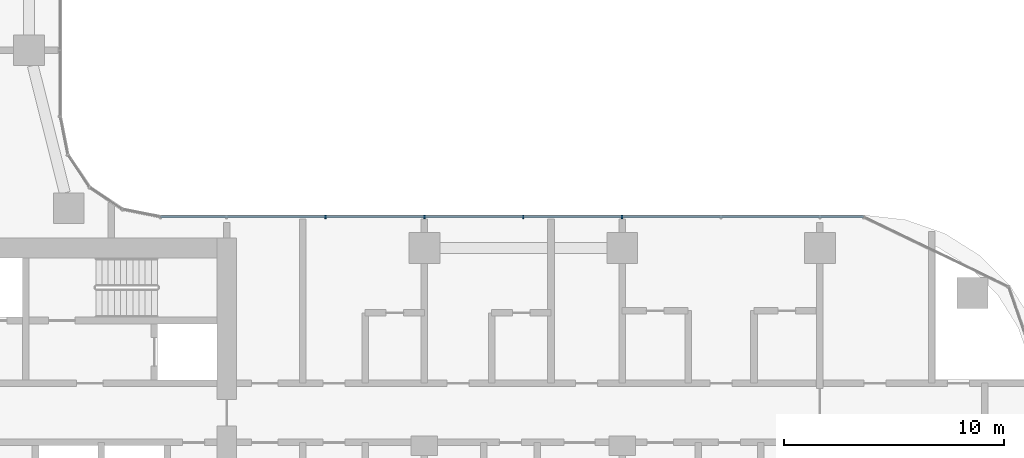
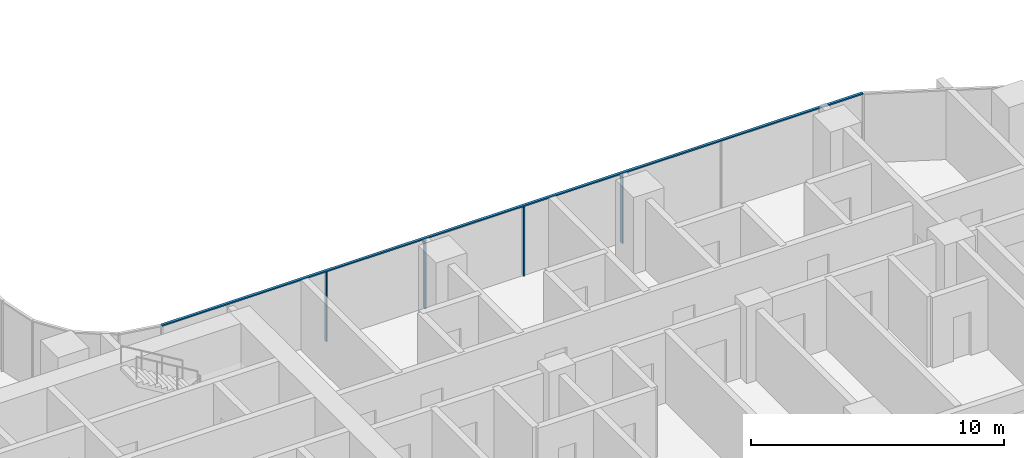
# One storey, part 4 of 33: 5 members, 1 element without a shape of its own.
"""IFC4 building model written with IfcOpenShell, lengths in metres."""

import ifcopenshell
import ifcopenshell.guid

model = None  # the IFC model being written
_history = None  # IfcOwnerHistory: only IFC2X3 demands one
_inside = {}  # id of a spatial element -> (the spatial element, [elements in it])
_under = {}  # id of a project, library or spatial element -> (it, [spatial elements below it])
_declared = {}  # id of a project -> (the project, [libraries it declares])
_typed = {}  # id of a type object -> (the type object, [elements of that type])
_made_of = {}  # id of a material, layer set ... -> (it, [elements and type objects made of it])


def new_model(schema):
    """Start an empty IFC model of exactly this schema.

    Asked for "IFC4X3", IfcOpenShell would pick the latest addendum, in which some entities
    have other attributes; the version numbers below select the first issue.
    IFC2X3 requires an IfcOwnerHistory on every rooted entity: one is made here for all.
    """
    global model, _history
    if schema == "IFC4X3":
        model = ifcopenshell.file(schema_version=(4, 3, 0, 0))
    else:
        model = ifcopenshell.file(schema=schema)
    _inside.clear()
    _under.clear()
    _declared.clear()
    _typed.clear()
    _made_of.clear()
    _history = None
    if model.schema == "IFC2X3":
        org = make("IfcOrganization", Name="unknown")
        user = make(
            "IfcPersonAndOrganization",
            ThePerson=make("IfcPerson", FamilyName="unknown"),
            TheOrganization=org,
        )
        app = make(
            "IfcApplication",
            ApplicationDeveloper=org,
            Version="unknown",
            ApplicationFullName="unknown",
            ApplicationIdentifier="unknown",
        )
        _history = make(
            "IfcOwnerHistory",
            OwningUser=user,
            OwningApplication=app,
            ChangeAction="ADDED",
            CreationDate=0,
        )
    return model


def make(cls, **values):
    """One entity of the class cls with the attributes given. An attribute that is None is left unset."""
    return model.create_entity(
        cls, **{name: value for name, value in values.items() if value is not None}
    )


def rooted(cls, **values):
    """An entity with a GlobalId (a new one), such as an element, a storey or a relation."""
    return make(cls, GlobalId=ifcopenshell.guid.new(), OwnerHistory=_history, **values)


def si_unit(unit_type, name, prefix=None):
    """IfcSIUnit, for example si_unit("LENGTHUNIT", "METRE", prefix="MILLI")."""
    return make("IfcSIUnit", UnitType=unit_type, Prefix=prefix, Name=name)


def assignment(units):
    """IfcUnitAssignment: the units of a project."""
    return None if units is None else make("IfcUnitAssignment", Units=units)


def point(xyz):
    """IfcCartesianPoint."""
    return None if xyz is None else make("IfcCartesianPoint", Coordinates=xyz)


def direction(xyz):
    """IfcDirection."""
    return None if xyz is None else make("IfcDirection", DirectionRatios=xyz)


def frame(location, z_axis=None, x_axis=None):
    """IfcAxis2Placement3D, a coordinate frame: its origin and axes. An axis left out is left unset."""
    return make(
        "IfcAxis2Placement3D",
        Location=point(location),
        Axis=direction(z_axis),
        RefDirection=direction(x_axis),
    )


def frame_2d(location, x_axis=None):
    """IfcAxis2Placement2D, a coordinate frame in the plane: its origin and x axis."""
    return make(
        "IfcAxis2Placement2D", Location=point(location), RefDirection=direction(x_axis)
    )


def origin():
    """The frame at (0, 0, 0) with its axes left unset."""
    return frame((0.0, 0.0, 0.0))


def origin_2d():
    """The frame at (0, 0) in the plane with its x axis left unset."""
    return frame_2d((0.0, 0.0))


def place(relative_to, where):
    """IfcLocalPlacement: puts the frame where relative to a parent placement (None: the world)."""
    return make(
        "IfcLocalPlacement", PlacementRelTo=relative_to, RelativePlacement=where
    )


def context(
    kind, dimensions, precision=None, world=None, true_north=None, identifier=None
):
    """IfcGeometricRepresentationContext, for example the 3D "Model" context."""
    return make(
        "IfcGeometricRepresentationContext",
        ContextIdentifier=identifier,
        ContextType=kind,
        CoordinateSpaceDimension=dimensions,
        Precision=precision,
        WorldCoordinateSystem=world,
        TrueNorth=true_north,
    )


def subcontext(parent, identifier, kind, view, scale=None):
    """IfcGeometricRepresentationSubContext, for example "Body" below "Model"."""
    return make(
        "IfcGeometricRepresentationSubContext",
        ContextIdentifier=identifier,
        ContextType=kind,
        ParentContext=parent,
        TargetScale=scale,
        TargetView=view,
    )


def project(units=None, contexts=None):
    """IfcProject with its units and contexts."""
    return rooted(
        "IfcProject",
        Name="project",
        RepresentationContexts=contexts,
        UnitsInContext=assignment(units),
    )


def spatial(cls, under=None, at=None, **own):
    """A site, building, storey or space (cls), placed at a placement, below another one or the project."""
    s = rooted(cls, ObjectPlacement=at, **own)
    if under is not None:
        _under.setdefault(under.id(), (under, []))[1].append(s)
    return s


def profile(cls, at=None, kind="AREA", **sizes):
    """A parametric profile (cls). Its sizes go by their IFC names, for example OverallWidth=200.0."""
    return make(cls, ProfileType=kind, Position=at, **sizes)


def rectangle(**sizes):
    """IfcRectangleProfileDef."""
    return profile("IfcRectangleProfileDef", **sizes)


def extrude(swept, where, along, depth):
    """IfcExtrudedAreaSolid: the profile swept, set in the frame where, extruded along a direction by depth."""
    return make(
        "IfcExtrudedAreaSolid",
        SweptArea=swept,
        Position=where,
        ExtrudedDirection=direction(along),
        Depth=depth,
    )


def shape(context_of_items, identifier, shape_type, items):
    """IfcShapeRepresentation: the items that make up one representation, for example the "Body"."""
    return make(
        "IfcShapeRepresentation",
        ContextOfItems=context_of_items,
        RepresentationIdentifier=identifier,
        RepresentationType=shape_type,
        Items=items,
    )


def material(Name=None, Category=None):
    """IfcMaterial."""
    return make("IfcMaterial", Name=Name, Category=Category)


def material_profile(
    of_material, cross_section, Name=None, Category=None, Priority=None
):
    """IfcMaterialProfile: a cross section and its material."""
    return make(
        "IfcMaterialProfile",
        Name=Name,
        Material=of_material,
        Profile=cross_section,
        Priority=Priority,
        Category=Category,
    )


def profile_set(profiles, Name=None, composite=None):
    """IfcMaterialProfileSet."""
    return make(
        "IfcMaterialProfileSet",
        Name=Name,
        MaterialProfiles=profiles,
        CompositeProfile=composite,
    )


def made_of(thing, what):
    """Note that an element or type object is made of a material, layer set ...; save() writes the relation."""
    if what is not None:
        _made_of.setdefault(what.id(), (what, []))[1].append(thing)
    return thing


def type_object(cls, material=None, **own):
    """A type object (cls), such as IfcWallType, which elements share."""
    return made_of(rooted(cls, **own), material)


def element(
    cls,
    number,
    at=None,
    inside=None,
    cuts=None,
    type_object=None,
    material=None,
    context=None,
    identifier="Body",
    shape_type=None,
    held_by="IfcProductDefinitionShape",
    body=None,
    shapes=None,
    **own,
):
    """One element of the class cls, such as IfcWall. Its Tag is "e" and its number.

    at: its placement. inside: the storey or other place that contains it. cuts: it is an
    opening in that element (IfcRelVoidsElement). A single representation is given by context,
    identifier, shape_type and body (its items); several are given by shapes. held_by: the class
    of the entity that holds the representations. save() writes the other relations.
    """
    e = rooted(cls, Tag="e%d" % number, ObjectPlacement=at, **own)
    if body is not None:
        shapes = [shape(context, identifier, shape_type, body)]
    if shapes is not None:
        e.Representation = make(held_by, Representations=shapes)
    if inside is not None:
        _inside.setdefault(inside.id(), (inside, []))[1].append(e)
    if cuts is not None:
        rooted(
            "IfcRelVoidsElement", RelatingBuildingElement=cuts, RelatedOpeningElement=e
        )
    if type_object is not None:
        _typed.setdefault(type_object.id(), (type_object, []))[1].append(e)
    return made_of(e, material)


def aggregate(whole, parts):
    """IfcRelAggregates: a whole, such as a stair, and the parts it consists of."""
    return rooted("IfcRelAggregates", RelatingObject=whole, RelatedObjects=parts)


def save(model, path):
    """Write the relations noted so far, then the file.

    IfcRelAggregates (storeys below a building ...), IfcRelContainedInSpatialStructure (elements
    in a storey), IfcRelDefinesByType, IfcRelAssociatesMaterial and IfcRelDeclares: one each for
    every whole, place, type object, material and project.
    """
    for whole, parts in _under.values():
        aggregate(whole, parts)
    for where, things in _inside.values():
        rooted(
            "IfcRelContainedInSpatialStructure",
            RelatedElements=things,
            RelatingStructure=where,
        )
    for kind, things in _typed.values():
        rooted("IfcRelDefinesByType", RelatedObjects=things, RelatingType=kind)
    for what, things in _made_of.values():
        rooted("IfcRelAssociatesMaterial", RelatedObjects=things, RelatingMaterial=what)
    for by, libraries in _declared.values():
        rooted("IfcRelDeclares", RelatingContext=by, RelatedDefinitions=libraries)
    model.write(path)


model = new_model("IFC4")

# Units and contexts
model_context = context("Model", 3, precision=1e-05, world=origin(), true_north=direction((0.0, 1.0)))
body_context = subcontext(model_context, "Body", "Model", "MODEL_VIEW")
ifc_project = project(units=[si_unit("LENGTHUNIT", "METRE"), si_unit("AREAUNIT", "SQUARE_METRE"), si_unit("VOLUMEUNIT", "CUBIC_METRE"), si_unit("PLANEANGLEUNIT", "RADIAN"), si_unit("MASSUNIT", "GRAM", prefix="KILO")], contexts=[model_context])

# Site, building, storey
site_placement = place(None, origin())
site = spatial("IfcSite", under=ifc_project, at=site_placement, CompositionType="ELEMENT")
building_placement = place(site_placement, origin())
building = spatial("IfcBuilding", under=site, at=building_placement, Name="Ogive Portal Towers", CompositionType="ELEMENT")
storey_placement = place(building_placement, frame((0.0, 0.0, 77.89990234375)))
storey = spatial("IfcBuildingStorey", under=building, at=storey_placement, Name="L18", CompositionType="ELEMENT", Elevation=77.89990234375)

# Curtain wall, members
ifc_material_1 = material(Name="Glass, clear low-iron insulated glazing", Category="glass")
curtain_wall_type = type_object("IfcCurtainWallType", Name="CW FRONT RIBBON 4500", PredefinedType="NOTDEFINED", material=ifc_material_1)
curtain_wall_placement = place(storey_placement, origin())
curtain_wall = element("IfcCurtainWall", 1, at=curtain_wall_placement, inside=storey, type_object=curtain_wall_type, Name="A:L18:f12:cw0", PredefinedType="NOTDEFINED")
ifc_material_2 = material(Name="Aluminium 6063 anodised", Category="aluminium")
ifc_material_profile_1 = material_profile(ifc_material_2, rectangle(XDim=0.159912109375, YDim=0.06005859375, at=origin_2d()), Name="AL 60x160")
ifc_profile_set_1 = profile_set([ifc_material_profile_1], Name="Aluminium 6063 anodised")
member_type_1 = type_object("IfcMemberType", Name="CW MULLION 60x160", PredefinedType="MULLION", material=ifc_profile_set_1)
member_1_placement = place(storey_placement, frame((76.5, 40.919921875, 0.0), z_axis=(0.0, 0.0, 1.0), x_axis=(0.0, -1.0, 0.0)))
member_1 = element("IfcMember", 2, at=member_1_placement, type_object=member_type_1, Name="mullion", PredefinedType="MULLION", context=body_context, shape_type="SweptSolid", body=[
    extrude(rectangle(XDim=0.159912109375, YDim=0.06005859375, at=origin_2d()), origin(), (0.0, 0.0, 1.0), 3.340087890625),
])
member_2_placement = place(storey_placement, frame((72.0, 40.919921875, 0.0), z_axis=(0.0, 0.0, 1.0), x_axis=(0.0, -1.0, 0.0)))
member_2 = element("IfcMember", 3, at=member_2_placement, type_object=member_type_1, Name="mullion", PredefinedType="MULLION", context=body_context, shape_type="SweptSolid", body=[
    extrude(rectangle(XDim=0.159912109375, YDim=0.06005859375, at=origin_2d()), origin(), (0.0, 0.0, 1.0), 3.340087890625),
])
member_3_placement = place(storey_placement, frame((67.5, 40.919921875, 0.0), z_axis=(0.0, 0.0, 1.0), x_axis=(0.0, -1.0, 0.0)))
member_3 = element("IfcMember", 4, at=member_3_placement, type_object=member_type_1, Name="mullion", PredefinedType="MULLION", context=body_context, shape_type="SweptSolid", body=[
    extrude(rectangle(XDim=0.159912109375, YDim=0.06005859375, at=origin_2d()), origin(), (0.0, 0.0, 1.0), 3.340087890625),
])
member_4_placement = place(storey_placement, frame((63.0, 40.919921875, 0.0), z_axis=(0.0, 0.0, 1.0), x_axis=(0.0, -1.0, 0.0)))
member_4 = element("IfcMember", 5, at=member_4_placement, type_object=member_type_1, Name="mullion", PredefinedType="MULLION", context=body_context, shape_type="SweptSolid", body=[
    extrude(rectangle(XDim=0.159912109375, YDim=0.06005859375, at=origin_2d()), origin(), (0.0, 0.0, 1.0), 3.340087890625),
])
ifc_material_profile_2 = material_profile(ifc_material_2, rectangle(XDim=0.1201171875, YDim=0.06005859375, at=origin_2d()), Name="AL 120x60")
ifc_profile_set_2 = profile_set([ifc_material_profile_2], Name="Aluminium 6063 anodised")
member_type_2 = type_object("IfcMemberType", Name="CW TRANSOM 60x120", PredefinedType="USERDEFINED", material=ifc_profile_set_2)
member_5_placement = place(storey_placement, frame((87.481689453125, 40.919921875, 3.3701171875), z_axis=(-1.0, 0.0, 0.0), x_axis=(0.0, -1.0, 0.0)))
member_5 = element("IfcMember", 6, at=member_5_placement, type_object=member_type_2, Name="transom", ObjectType="TRANSOM", PredefinedType="USERDEFINED", context=body_context, shape_type="SweptSolid", body=[
    extrude(rectangle(XDim=0.1201171875, YDim=0.06005859375, at=origin_2d()), origin(), (0.0, 0.0, 1.0), 31.989501953125),
])
aggregate(curtain_wall, [member_5, member_1, member_2, member_3, member_4])

save(model, "model.ifc")
